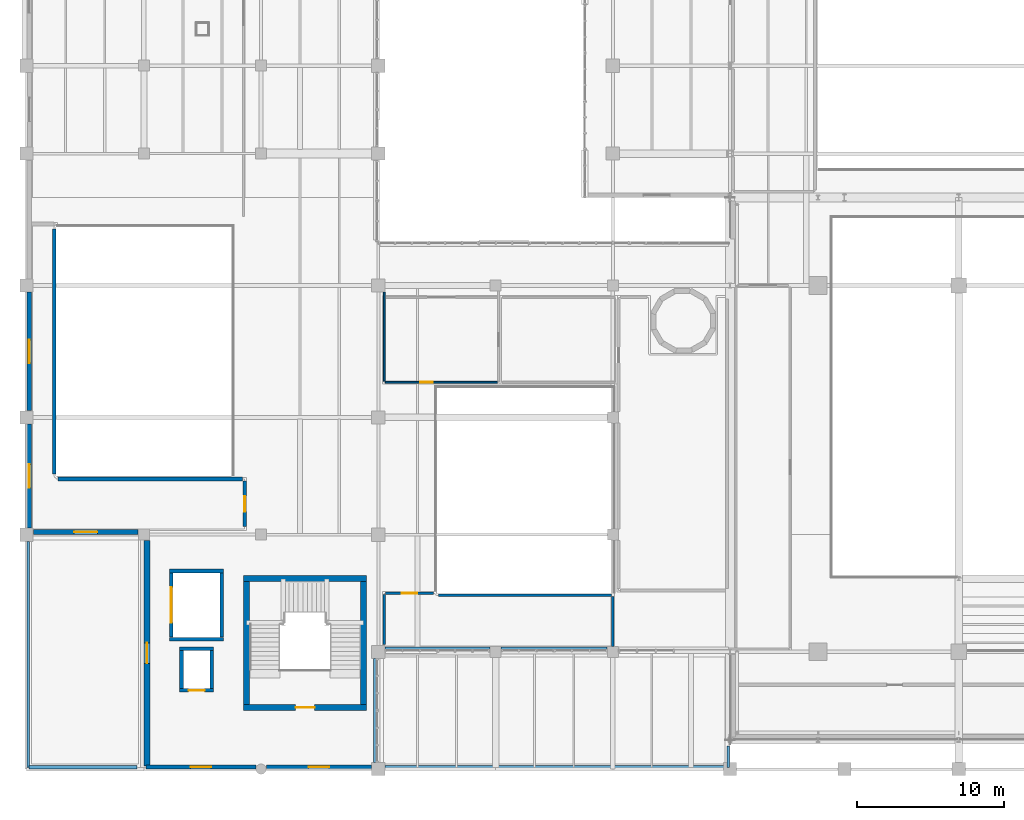
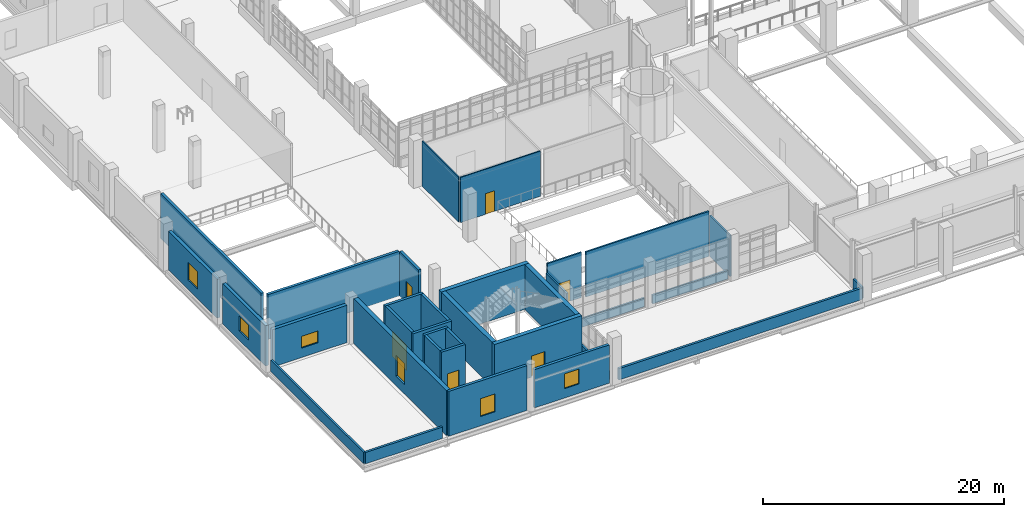
# One storey, part 89 of 102: 34 walls, 6 doors, 6 windows, 12 openings.
"""IFC4 building model written with IfcOpenShell, lengths in metres."""

from ifc_helpers import new_model, si_unit, derived_unit, direction, frame, frame_2d, origin, place, context, subcontext, project, spatial, rectangle, extrude, material, layer, layer_set, type_object, element, fill, save


model = new_model("IFC4")

# Units and contexts
model_context = context("Model", 3, precision=1e-05, world=origin(), true_north=direction((0.0, 1.0)))
body_context = subcontext(model_context, "Body", "Model", "MODEL_VIEW")
ifc_project = project(units=[si_unit("LENGTHUNIT", "METRE"), si_unit("AREAUNIT", "SQUARE_METRE"), si_unit("VOLUMEUNIT", "CUBIC_METRE"), si_unit("PLANEANGLEUNIT", "RADIAN"), si_unit("MASSUNIT", "GRAM", prefix="KILO"), derived_unit("THERMALTRANSMITTANCEUNIT", [(si_unit("POWERUNIT", "WATT"), 1), (si_unit("LENGTHUNIT", "METRE"), -2), (si_unit("THERMODYNAMICTEMPERATUREUNIT", "KELVIN"), -1)])], contexts=[model_context])

# Site, building, storey
site_placement = place(None, origin())
site = spatial("IfcSite", under=ifc_project, at=site_placement, CompositionType="ELEMENT")
building_placement = place(site_placement, origin())
building = spatial("IfcBuilding", under=site, at=building_placement, Name="Nallur Shell Playhouse", CompositionType="ELEMENT")
storey_placement = place(building_placement, frame((0.0, 0.0, 15.0)))
storey = spatial("IfcBuildingStorey", under=building, at=storey_placement, Name="L04", CompositionType="ELEMENT", Elevation=15.0)

# Wall, opening, door
ifc_material_1 = material(Name="Concrete M45", Category="concrete")
ifc_layer_1 = layer(ifc_material_1, 0.39990234375)
ifc_layer_set_1 = layer_set([ifc_layer_1], Name="Concrete M45")
wall_type_1 = type_object("IfcWallType", Name="WL-CORE-400", PredefinedType="SHEAR", material=ifc_layer_set_1)
wall_1_placement = place(storey_placement, frame((30.800048828125, 12.199951171875, 0.0), z_axis=(0.0, 0.0, 1.0), x_axis=(1.0, 0.0, 0.0)))
wall_1 = element("IfcWall", 1, at=wall_1_placement, inside=storey, type_object=wall_type_1, Name="Joint Core JC-1 shear wall S (L04)", PredefinedType="SHEAR", context=body_context, shape_type="SweptSolid", body=[
    extrude(rectangle(XDim=8.39990234375, YDim=0.39990234375, at=frame_2d((4.199951171875, 0.0))), origin(), (0.0, 0.0, 1.0), 4.550048828125),
])
opening_1_placement = place(wall_1_placement, frame((3.550048828125, 0.0, 0.0)))
opening_1 = element("IfcOpeningElement", 2, at=opening_1_placement, cuts=wall_1, Name="Opening FD-ST1", PredefinedType="OPENING", context=body_context, shape_type="SweptSolid", body=[
    extrude(rectangle(XDim=1.300048828125, YDim=2.14990234375, at=frame_2d((0.64990234375, 1.074951171875))), frame((0.0, 0.2099609375, 0.0), z_axis=(0.0, -1.0, 0.0), x_axis=(1.0, 0.0, 0.0)), (0.0, 0.0, 1.0), 0.419921875),
])
ifc_material_2 = material(Name="Galvanised Steel Fire-Rated Stair Door", Category="steel")
door_type_1 = type_object("IfcDoorType", Name="DR-INT-STAIR-L", OperationType="SINGLE_SWING_LEFT", PredefinedType="DOOR", material=ifc_material_2)
door_1_placement = place(opening_1_placement, origin())
door_1 = element("IfcDoor", 3, at=door_1_placement, inside=storey, type_object=door_type_1, Name="Exit stair ST-01 fire door (L04)", OperationType="SINGLE_SWING_LEFT", OverallHeight=2.14990234375, OverallWidth=1.300048828125, PredefinedType="DOOR", context=body_context, shape_type="SweptSolid", body=[
    extrude(rectangle(XDim=1.300048828125, YDim=2.14990234375, at=frame_2d((0.64990234375, 1.074951171875))), frame((0.0, 0.02490234375, 0.0), z_axis=(0.0, -1.0, 0.0), x_axis=(1.0, 0.0, 0.0)), (0.0, 0.0, 1.0), 0.050048828125),
])
fill(opening_1, door_1)

# Walls
wall_2_placement = place(storey_placement, frame((39.199951171875, 21.0, 0.0), z_axis=(0.0, 0.0, 1.0), x_axis=(-1.0, 0.0, 0.0)))
element("IfcWall", 4, at=wall_2_placement, inside=storey, type_object=wall_type_1, Name="Joint Core JC-1 shear wall N (L04)", PredefinedType="SHEAR", context=body_context, shape_type="SweptSolid", body=[
    extrude(rectangle(XDim=8.39990234375, YDim=0.39990234375, at=frame_2d((4.199951171875, 0.0))), origin(), (0.0, 0.0, 1.0), 4.550048828125),
])
for number, where, z_axis, x_axis, name in (
    (5, (39.0, 12.409912109375, 0.0), (0.0, 0.0, 1.0), (0.0, 1.0, 0.0), "Joint Core JC-1 shear wall E (L04)"),
    (6, (31.0, 20.7900390625, 0.0), (0.0, 0.0, 1.0), (0.0, -1.0, 0.0), "Joint Core JC-1 shear wall W (L04)"),
):
    element("IfcWall", number, at=place(storey_placement, frame(where, z_axis=z_axis, x_axis=x_axis)), inside=storey, type_object=wall_type_1, Name=name, PredefinedType="SHEAR", context=body_context, shape_type="SweptSolid", body=[
        extrude(rectangle(XDim=8.380126953125, YDim=0.39990234375, at=frame_2d((4.18994140625, 0.0))), origin(), (0.0, 0.0, 1.0), 4.550048828125),
    ])

# Wall, opening, window
ifc_material_3 = material(Name="Precast concrete M40", Category="concrete")
ifc_layer_2 = layer(ifc_material_3, 0.260009765625)
ifc_layer_set_2 = layer_set([ifc_layer_2], Name="Precast concrete M40")
wall_type_2 = type_object("IfcWallType", Name="WL-EXT-CLAD260", PredefinedType="ELEMENTEDWALL", material=ifc_layer_set_2)
wall_3_placement = place(storey_placement, frame((39.5419921875, 8.14990234375, 0.0), z_axis=(0.0, 0.0, 1.0), x_axis=(-1.0, 0.0, 0.0)))
wall_3 = element("IfcWall", 7, at=wall_3_placement, inside=storey, type_object=wall_type_2, Name="L04 exterior wall EW-L04-193", PredefinedType="ELEMENTEDWALL", context=body_context, shape_type="SweptSolid", body=[
    extrude(rectangle(XDim=7.18408203125, YDim=0.260009765625, at=frame_2d((3.592041015625, 0.0))), origin(), (0.0, 0.0, 1.0), 3.885009765625),
])
opening_2_placement = place(wall_3_placement, frame((2.89208984375, 0.0, 0.949951171875)))
opening_2 = element("IfcOpeningElement", 8, at=opening_2_placement, cuts=wall_3, Name="Opening WN-14", PredefinedType="OPENING", context=body_context, shape_type="SweptSolid", body=[
    extrude(rectangle(XDim=1.39990234375, YDim=1.5, at=frame_2d((0.699951171875, 0.75))), frame((0.0, 0.14013671875, 0.0), z_axis=(0.0, -1.0, 0.0), x_axis=(1.0, 0.0, 0.0)), (0.0, 0.0, 1.0), 0.280029296875),
])
ifc_material_4 = material(Name="Thermally Broken Aluminium Acoustic Double-Glazed Window", Category="aluminium")
window_type_1 = type_object("IfcWindowType", Name="WN-TYPE-14", PartitioningType="SINGLE_PANEL", PredefinedType="WINDOW", material=ifc_material_4)
window_1_placement = place(opening_2_placement, origin())
window_1 = element("IfcWindow", 9, at=window_1_placement, inside=storey, type_object=window_type_1, Name="L04 facade module window 078", OverallHeight=1.5, OverallWidth=1.39990234375, PartitioningType="SINGLE_PANEL", PredefinedType="WINDOW", context=body_context, shape_type="SweptSolid", body=[
    extrude(rectangle(XDim=1.39990234375, YDim=1.5, at=frame_2d((0.699951171875, 0.75))), frame((0.0, 0.030029296875, 0.0), z_axis=(0.0, -1.0, 0.0), x_axis=(1.0, 0.0, 0.0)), (0.0, 0.0, 1.0), 0.06005859375),
])
fill(opening_2, window_1)

wall_4_placement = place(storey_placement, frame((31.64208984375, 8.14990234375, 0.0), z_axis=(0.0, 0.0, 1.0), x_axis=(-1.0, 0.0, 0.0)))
wall_4 = element("IfcWall", 10, at=wall_4_placement, inside=storey, type_object=wall_type_2, Name="L04 exterior wall EW-L04-194", PredefinedType="ELEMENTEDWALL", context=body_context, shape_type="SweptSolid", body=[
    extrude(rectangle(XDim=7.502197265625, YDim=0.260009765625, at=frame_2d((3.7509765625, 0.0))), origin(), (0.0, 0.0, 1.0), 4.550048828125),
])
opening_3_placement = place(wall_4_placement, frame((3.051025390625, 0.0, 0.949951171875)))
opening_3 = element("IfcOpeningElement", 11, at=opening_3_placement, cuts=wall_4, Name="Opening WN-15", PredefinedType="OPENING", context=body_context, shape_type="SweptSolid", body=[
    extrude(rectangle(XDim=1.39990234375, YDim=1.800048828125, at=frame_2d((0.699951171875, 0.89990234375))), frame((0.0, 0.14013671875, 0.0), z_axis=(0.0, -1.0, 0.0), x_axis=(1.0, 0.0, 0.0)), (0.0, 0.0, 1.0), 0.280029296875),
])
window_type_2 = type_object("IfcWindowType", Name="WN-TYPE-15", PartitioningType="SINGLE_PANEL", PredefinedType="WINDOW", material=ifc_material_4)
window_2_placement = place(opening_3_placement, origin())
window_2 = element("IfcWindow", 12, at=window_2_placement, inside=storey, type_object=window_type_2, Name="L04 facade module window 079", OverallHeight=1.800048828125, OverallWidth=1.39990234375, PartitioningType="SINGLE_PANEL", PredefinedType="WINDOW", context=body_context, shape_type="SweptSolid", body=[
    extrude(rectangle(XDim=1.39990234375, YDim=1.800048828125, at=frame_2d((0.699951171875, 0.89990234375))), frame((0.0, 0.030029296875, 0.0), z_axis=(0.0, -1.0, 0.0), x_axis=(1.0, 0.0, 0.0)), (0.0, 0.0, 1.0), 0.06005859375),
])
fill(opening_3, window_2)

ifc_material_5 = material(Name="Concrete M35", Category="concrete")
ifc_layer_3 = layer(ifc_material_5, 0.300048828125)
ifc_layer_set_3 = layer_set([ifc_layer_3], Name="Concrete M35")
wall_type_3 = type_object("IfcWallType", Name="WL-EXT-RC300", PredefinedType="STANDARD", material=ifc_layer_set_3)
wall_5_placement = place(storey_placement, frame((16.169921875, 24.4580078125, 0.0), z_axis=(0.0, 0.0, 1.0), x_axis=(0.0, 1.0, 0.0)))
wall_5 = element("IfcWall", 13, at=wall_5_placement, inside=storey, type_object=wall_type_3, Name="L04 exterior wall EW-L04-197", PredefinedType="STANDARD", context=body_context, shape_type="SweptSolid", body=[
    extrude(rectangle(XDim=7.083984375, YDim=0.300048828125, at=frame_2d((3.5419921875, 0.0))), origin(), (0.0, 0.0, 1.0), 4.0849609375),
])
opening_4_placement = place(wall_5_placement, frame((2.741943359375, 0.0, 0.949951171875)))
opening_4 = element("IfcOpeningElement", 14, at=opening_4_placement, cuts=wall_5, Name="Opening WN-18", PredefinedType="OPENING", context=body_context, shape_type="SweptSolid", body=[
    extrude(rectangle(XDim=1.60009765625, YDim=1.5, at=frame_2d((0.800048828125, 0.75))), frame((0.0, 0.16015625, 0.0), z_axis=(0.0, -1.0, 0.0), x_axis=(1.0, 0.0, 0.0)), (0.0, 0.0, 1.0), 0.320068359375),
])
window_type_3 = type_object("IfcWindowType", Name="WN-TYPE-18", PartitioningType="SINGLE_PANEL", PredefinedType="WINDOW", material=ifc_material_4)
window_3_placement = place(opening_4_placement, origin())
window_3 = element("IfcWindow", 15, at=window_3_placement, inside=storey, type_object=window_type_3, Name="L04 facade module window 082", OverallHeight=1.5, OverallWidth=1.60009765625, PartitioningType="SINGLE_PANEL", PredefinedType="WINDOW", context=body_context, shape_type="SweptSolid", body=[
    extrude(rectangle(XDim=1.60009765625, YDim=1.5, at=frame_2d((0.800048828125, 0.75))), frame((0.0, 0.030029296875, 0.0), z_axis=(0.0, -1.0, 0.0), x_axis=(1.0, 0.0, 0.0)), (0.0, 0.0, 1.0), 0.06005859375),
])
fill(opening_4, window_3)

wall_6_placement = place(storey_placement, frame((16.169921875, 32.4580078125, 0.0), z_axis=(0.0, 0.0, 1.0), x_axis=(0.0, 1.0, 0.0)))
wall_6 = element("IfcWall", 16, at=wall_6_placement, inside=storey, type_object=wall_type_3, Name="L04 exterior wall EW-L04-198", PredefinedType="STANDARD", context=body_context, shape_type="SweptSolid", body=[
    extrude(rectangle(XDim=8.083984375, YDim=0.300048828125, at=frame_2d((4.0419921875, 0.0))), origin(), (0.0, 0.0, 1.0), 3.93505859375),
])
opening_5_placement = place(wall_6_placement, frame((3.241943359375, 0.0, 0.949951171875)))
opening_5 = element("IfcOpeningElement", 17, at=opening_5_placement, cuts=wall_6, Name="Opening WN-19", PredefinedType="OPENING", context=body_context, shape_type="SweptSolid", body=[
    extrude(rectangle(XDim=1.60009765625, YDim=1.800048828125, at=frame_2d((0.800048828125, 0.89990234375))), frame((0.0, 0.16015625, 0.0), z_axis=(0.0, -1.0, 0.0), x_axis=(1.0, 0.0, 0.0)), (0.0, 0.0, 1.0), 0.320068359375),
])
window_type_4 = type_object("IfcWindowType", Name="WN-TYPE-19", PartitioningType="SINGLE_PANEL", PredefinedType="WINDOW", material=ifc_material_4)
window_4_placement = place(opening_5_placement, origin())
window_4 = element("IfcWindow", 18, at=window_4_placement, inside=storey, type_object=window_type_4, Name="L04 facade module window 083", OverallHeight=1.800048828125, OverallWidth=1.60009765625, PartitioningType="SINGLE_PANEL", PredefinedType="WINDOW", context=body_context, shape_type="SweptSolid", body=[
    extrude(rectangle(XDim=1.60009765625, YDim=1.800048828125, at=frame_2d((0.800048828125, 0.89990234375))), frame((0.0, 0.030029296875, 0.0), z_axis=(0.0, -1.0, 0.0), x_axis=(1.0, 0.0, 0.0)), (0.0, 0.0, 1.0), 0.06005859375),
])
fill(opening_5, window_4)

ifc_layer_4 = layer(ifc_material_5, 0.320068359375)
ifc_layer_set_4 = layer_set([ifc_layer_4], Name="Concrete M35")
wall_type_4 = type_object("IfcWallType", Name="WL-EXT-RC320", PredefinedType="STANDARD", material=ifc_layer_set_4)
wall_7_placement = place(storey_placement, frame((23.616943359375, 24.179931640625, 0.0), z_axis=(0.0, 0.0, 1.0), x_axis=(-1.0, 0.0, 0.0)))
wall_7 = element("IfcWall", 19, at=wall_7_placement, inside=storey, type_object=wall_type_4, Name="L04 exterior wall EW-L04-196", PredefinedType="STANDARD", context=body_context, shape_type="SweptSolid", body=[
    extrude(rectangle(XDim=7.158935546875, YDim=0.320068359375, at=frame_2d((3.57958984375, 0.0))), origin(), (0.0, 0.0, 1.0), 3.784912109375),
])
opening_6_placement = place(wall_7_placement, frame((2.780029296875, 0.0, 0.949951171875)))
opening_6 = element("IfcOpeningElement", 20, at=opening_6_placement, cuts=wall_7, Name="Opening WN-17", PredefinedType="OPENING", context=body_context, shape_type="SweptSolid", body=[
    extrude(rectangle(XDim=1.60009765625, YDim=1.199951171875, at=frame_2d((0.800048828125, 0.60009765625))), frame((0.0, 0.169921875, 0.0), z_axis=(0.0, -1.0, 0.0), x_axis=(1.0, 0.0, 0.0)), (0.0, 0.0, 1.0), 0.340087890625),
])
window_type_5 = type_object("IfcWindowType", Name="WN-TYPE-17", PartitioningType="SINGLE_PANEL", PredefinedType="WINDOW", material=ifc_material_4)
window_5_placement = place(opening_6_placement, origin())
window_5 = element("IfcWindow", 21, at=window_5_placement, inside=storey, type_object=window_type_5, Name="L04 facade module window 081", OverallHeight=1.199951171875, OverallWidth=1.60009765625, PartitioningType="SINGLE_PANEL", PredefinedType="WINDOW", context=body_context, shape_type="SweptSolid", body=[
    extrude(rectangle(XDim=1.60009765625, YDim=1.199951171875, at=frame_2d((0.800048828125, 0.60009765625))), frame((0.0, 0.030029296875, 0.0), z_axis=(0.0, -1.0, 0.0), x_axis=(1.0, 0.0, 0.0)), (0.0, 0.0, 1.0), 0.06005859375),
])
fill(opening_6, window_5)

ifc_material_6 = material(Name="Concrete M40", Category="concrete")
ifc_layer_5 = layer(ifc_material_6, 0.39990234375)
ifc_layer_set_5 = layer_set([ifc_layer_5], Name="Concrete M40")
wall_type_5 = type_object("IfcWallType", Name="WL-EXT-RC400", PredefinedType="STANDARD", material=ifc_layer_set_5)
wall_8_placement = place(storey_placement, frame((24.219970703125, 8.2099609375, 0.0), z_axis=(0.0, 0.0, 1.0), x_axis=(0.0, 1.0, 0.0)))
wall_8 = element("IfcWall", 22, at=wall_8_placement, inside=storey, type_object=wall_type_5, Name="L04 exterior wall EW-L04-195", PredefinedType="STANDARD", context=body_context, shape_type="SweptSolid", body=[
    extrude(rectangle(XDim=15.406982421875, YDim=0.39990234375, at=frame_2d((7.70361328125, 0.0))), origin(), (0.0, 0.0, 1.0), 4.550048828125),
])
opening_7_placement = place(wall_8_placement, frame((7.0029296875, 0.0, 0.949951171875)))
opening_7 = element("IfcOpeningElement", 23, at=opening_7_placement, cuts=wall_8, Name="Opening WN-16", PredefinedType="OPENING", context=body_context, shape_type="SweptSolid", body=[
    extrude(rectangle(XDim=1.39990234375, YDim=2.10009765625, at=frame_2d((0.699951171875, 1.050048828125))), frame((0.0, 0.2099609375, 0.0), z_axis=(0.0, -1.0, 0.0), x_axis=(1.0, 0.0, 0.0)), (0.0, 0.0, 1.0), 0.419921875),
])
window_type_6 = type_object("IfcWindowType", Name="WN-TYPE-16", PartitioningType="SINGLE_PANEL", PredefinedType="WINDOW", material=ifc_material_4)
window_6_placement = place(opening_7_placement, origin())
window_6 = element("IfcWindow", 24, at=window_6_placement, inside=storey, type_object=window_type_6, Name="L04 facade module window 080", OverallHeight=2.10009765625, OverallWidth=1.39990234375, PartitioningType="SINGLE_PANEL", PredefinedType="WINDOW", context=body_context, shape_type="SweptSolid", body=[
    extrude(rectangle(XDim=1.39990234375, YDim=2.10009765625, at=frame_2d((0.699951171875, 1.050048828125))), frame((0.0, 0.030029296875, 0.0), z_axis=(0.0, -1.0, 0.0), x_axis=(1.0, 0.0, 0.0)), (0.0, 0.0, 1.0), 0.06005859375),
])
fill(opening_7, window_6)

# Walls
ifc_layer_6 = layer(ifc_material_5, 0.179931640625)
ifc_layer_set_6 = layer_set([ifc_layer_6], Name="Concrete M35")
wall_type_6 = type_object("IfcWallType", Name="WL-PARAPET-180", PredefinedType="PARAPET", material=ifc_layer_set_6)
wall_9_placement = place(storey_placement, frame((55.614990234375, 16.239990234375, 0.0), z_axis=(0.0, 0.0, 1.0), x_axis=(-1.0, 0.0, 0.0)))
element("IfcWall", 25, at=wall_9_placement, inside=storey, type_object=wall_type_6, Name="L04 curtain-wall internal spandrel upstand 054", PredefinedType="PARAPET", context=body_context, shape_type="SweptSolid", body=[
    extrude(rectangle(XDim=7.22998046875, YDim=0.179931640625, at=frame_2d((3.614990234375, 0.0))), origin(), (0.0, 0.0, 1.0), 0.8798828125),
])
wall_10_placement = place(storey_placement, frame((47.614990234375, 16.239990234375, 0.0), z_axis=(0.0, 0.0, 1.0), x_axis=(-1.0, 0.0, 0.0)))
element("IfcWall", 26, at=wall_10_placement, inside=storey, type_object=wall_type_6, Name="L04 curtain-wall internal spandrel upstand 055", PredefinedType="PARAPET", context=body_context, shape_type="SweptSolid", body=[
    extrude(rectangle(XDim=7.155029296875, YDim=0.179931640625, at=frame_2d((3.57763671875, 0.0))), origin(), (0.0, 0.0, 1.0), 0.8798828125),
])
wall_11_placement = place(storey_placement, frame((39.760009765625, 15.5400390625, 0.0), z_axis=(0.0, 0.0, 1.0), x_axis=(0.0, -1.0, 0.0)))
element("IfcWall", 27, at=wall_11_placement, inside=storey, type_object=wall_type_6, Name="L04 curtain-wall internal spandrel upstand 056", PredefinedType="PARAPET", context=body_context, shape_type="SweptSolid", body=[
    extrude(rectangle(XDim=7.080078125, YDim=0.179931640625, at=frame_2d((3.5400390625, 0.0))), origin(), (0.0, 0.0, 1.0), 0.8798828125),
])
wall_12_placement = place(storey_placement, frame((63.889892578125, 9.564208984375, 0.0), z_axis=(0.0, 0.0, 1.0), x_axis=(0.0, -1.0, 0.0)))
element("IfcWall", 28, at=wall_12_placement, inside=storey, type_object=wall_type_6, Name="L04 concrete roof parapet PAR-017", PredefinedType="PARAPET", context=body_context, shape_type="SweptSolid", body=[
    extrude(rectangle(XDim=1.434326171875, YDim=0.179931640625, at=frame_2d((0.71728515625, 0.0))), origin(), (0.0, 0.0, 1.0), 1.14990234375),
])
wall_13_placement = place(storey_placement, frame((16.110107421875, 8.1298828125, 0.0), z_axis=(0.0, 0.0, 1.0), x_axis=(0.0, 1.0, 0.0)))
element("IfcWall", 29, at=wall_13_placement, inside=storey, type_object=wall_type_6, Name="L04 concrete roof parapet PAR-021", PredefinedType="PARAPET", context=body_context, shape_type="SweptSolid", body=[
    extrude(rectangle(XDim=15.420166015625, YDim=0.179931640625, at=frame_2d((7.7099609375, 0.0))), origin(), (0.0, 0.0, 1.0), 1.14990234375),
])
ifc_layer_7 = layer(ifc_material_5, 0.219970703125)
ifc_layer_set_7 = layer_set([ifc_layer_7], Name="Concrete M35")
wall_type_7 = type_object("IfcWallType", Name="WL-PARAPET-220", PredefinedType="PARAPET", material=ifc_layer_set_7)
wall_14_placement = place(storey_placement, frame((63.85009765625, 8.1298828125, 0.0), z_axis=(0.0, 0.0, 1.0), x_axis=(-1.0, 0.0, 0.0)))
element("IfcWall", 30, at=wall_14_placement, inside=storey, type_object=wall_type_7, Name="L04 concrete roof parapet PAR-018", PredefinedType="PARAPET", context=body_context, shape_type="SweptSolid", body=[
    extrude(rectangle(XDim=23.400146484375, YDim=0.219970703125, at=frame_2d((11.7001953125, 0.0))), origin(), (0.0, 0.0, 1.0), 1.14990234375),
])
wall_15_placement = place(storey_placement, frame((23.550048828125, 8.1298828125, 0.0), z_axis=(0.0, 0.0, 1.0), x_axis=(-1.0, 0.0, 0.0)))
element("IfcWall", 31, at=wall_15_placement, inside=storey, type_object=wall_type_7, Name="L04 concrete roof parapet PAR-020", PredefinedType="PARAPET", context=body_context, shape_type="SweptSolid", body=[
    extrude(rectangle(XDim=7.400146484375, YDim=0.219970703125, at=frame_2d((3.7001953125, 0.0))), origin(), (0.0, 0.0, 1.0), 1.14990234375),
])
ifc_material_7 = material(Name="Concrete M30", Category="concrete")
ifc_layer_8 = layer(ifc_material_7, 0.25)
ifc_layer_set_8 = layer_set([ifc_layer_8], Name="Concrete M30")
wall_type_8 = type_object("IfcWallType", Name="WL-PART-AC250", PredefinedType="PARTITIONING", material=ifc_layer_set_8)
wall_16_placement = place(storey_placement, frame((17.8798828125, 44.85498046875, 0.0), z_axis=(0.0, 0.0, 1.0), x_axis=(0.0, -1.0, 0.0)))
element("IfcWall", 32, at=wall_16_placement, inside=storey, type_object=wall_type_8, Name="Black-Box Tension Wire-Grid & Technical Catwalk partition IW-L04-0309", PredefinedType="PARTITIONING", context=body_context, shape_type="SweptSolid", body=[
    extrude(rectangle(XDim=16.7099609375, YDim=0.25, at=frame_2d((8.35498046875, 0.0))), origin(), (0.0, 0.0, 1.0), 4.5400390625),
])
wall_17_placement = place(storey_placement, frame((18.14501953125, 27.800048828125, 0.0), z_axis=(0.0, 0.0, 1.0), x_axis=(1.0, 0.0, 0.0)))
element("IfcWall", 33, at=wall_17_placement, inside=storey, type_object=wall_type_8, Name="Black-Box Tension Wire-Grid & Technical Catwalk partition IW-L04-0310", PredefinedType="PARTITIONING", context=body_context, shape_type="SweptSolid", body=[
    extrude(rectangle(XDim=12.590087890625, YDim=0.25, at=frame_2d((6.294921875, 0.0))), origin(), (0.0, 0.0, 1.0), 4.5400390625),
])

# Wall, opening, door
wall_18_placement = place(storey_placement, frame((30.8798828125, 27.655029296875, 0.0), z_axis=(0.0, 0.0, 1.0), x_axis=(0.0, -1.0, 0.0)))
wall_18 = element("IfcWall", 34, at=wall_18_placement, inside=storey, type_object=wall_type_8, Name="Black-Box Tension Wire-Grid & Technical Catwalk partition IW-L04-0311", PredefinedType="PARTITIONING", context=body_context, shape_type="SweptSolid", body=[
    extrude(rectangle(XDim=3.110107421875, YDim=0.25, at=frame_2d((1.55517578125, 0.0))), origin(), (0.0, 0.0, 1.0), 4.5400390625),
])
opening_8_placement = place(wall_18_placement, frame((1.030029296875, 0.0, 0.0)))
opening_8 = element("IfcOpeningElement", 35, at=opening_8_placement, cuts=wall_18, Name="Opening ID-01", PredefinedType="OPENING", context=body_context, shape_type="SweptSolid", body=[
    extrude(rectangle(XDim=1.050048828125, YDim=2.14990234375, at=frame_2d((0.52490234375, 1.074951171875))), frame((0.0, 0.135009765625, 0.0), z_axis=(0.0, -1.0, 0.0), x_axis=(1.0, 0.0, 0.0)), (0.0, 0.0, 1.0), 0.27001953125),
])
ifc_material_8 = material(Name="Solid-Core Engineered Timber Fire Door", Category="wood")
door_type_2 = type_object("IfcDoorType", Name="DR-INT-SGL1050L", OperationType="SINGLE_SWING_LEFT", PredefinedType="DOOR", material=ifc_material_8)
door_2_placement = place(opening_8_placement, origin())
door_2 = element("IfcDoor", 36, at=door_2_placement, inside=storey, type_object=door_type_2, Name="Black-Box Tension Wire-Grid & Technical Catwalk door 1", OperationType="SINGLE_SWING_LEFT", OverallHeight=2.14990234375, OverallWidth=1.050048828125, PredefinedType="DOOR", context=body_context, shape_type="SweptSolid", body=[
    extrude(rectangle(XDim=1.050048828125, YDim=2.14990234375, at=frame_2d((0.52490234375, 1.074951171875))), frame((0.0, 0.02490234375, 0.0), z_axis=(0.0, -1.0, 0.0), x_axis=(1.0, 0.0, 0.0)), (0.0, 0.0, 1.0), 0.050048828125),
])
fill(opening_8, door_2)

# Wall
ifc_material_9 = material(Name="Concrete M25 Fire Blockwork", Category="masonry")
ifc_layer_9 = layer(ifc_material_9, 0.14990234375)
ifc_layer_set_9 = layer_set([ifc_layer_9], Name="Concrete M25 Fire Blockwork")
wall_type_9 = type_object("IfcWallType", Name="WL-PART-FR150", PredefinedType="PARTITIONING", material=ifc_layer_set_9)
wall_19_placement = place(storey_placement, frame((40.39990234375, 16.4951171875, 0.0), z_axis=(0.0, 0.0, 1.0), x_axis=(0.0, 1.0, 0.0)))
element("IfcWall", 37, at=wall_19_placement, inside=storey, type_object=wall_type_9, Name="Upper Circle Panoramic Overlook Gallery partition IW-L04-0292", PredefinedType="PARTITIONING", context=body_context, shape_type="SweptSolid", body=[
    extrude(rectangle(XDim=3.409912109375, YDim=0.14990234375, at=frame_2d((1.705078125, 0.0))), origin(), (0.0, 0.0, 1.0), 3.679931640625),
])

# Wall, opening, door
wall_20_placement = place(storey_placement, frame((40.4951171875, 20.0, 0.0), z_axis=(0.0, 0.0, 1.0), x_axis=(1.0, 0.0, 0.0)))
wall_20 = element("IfcWall", 38, at=wall_20_placement, inside=storey, type_object=wall_type_9, Name="Upper Circle Panoramic Overlook Gallery partition IW-L04-0293", PredefinedType="PARTITIONING", context=body_context, shape_type="SweptSolid", body=[
    extrude(rectangle(XDim=3.269775390625, YDim=0.14990234375, at=frame_2d((1.634765625, 0.0))), origin(), (0.0, 0.0, 1.0), 4.570068359375),
])
opening_9_placement = place(wall_20_placement, frame((1.110107421875, 0.0, 0.0)))
opening_9 = element("IfcOpeningElement", 39, at=opening_9_placement, cuts=wall_20, Name="Opening ID-02", PredefinedType="OPENING", context=body_context, shape_type="SweptSolid", body=[
    extrude(rectangle(XDim=1.050048828125, YDim=2.14990234375, at=frame_2d((0.52490234375, 1.074951171875))), frame((0.0, 0.0849609375, 0.0), z_axis=(0.0, -1.0, 0.0), x_axis=(1.0, 0.0, 0.0)), (0.0, 0.0, 1.0), 0.169921875),
])
door_type_3 = type_object("IfcDoorType", Name="DR-INT-SGL1050R", OperationType="SINGLE_SWING_RIGHT", PredefinedType="DOOR", material=ifc_material_8)
door_3_placement = place(opening_9_placement, origin())
door_3 = element("IfcDoor", 40, at=door_3_placement, inside=storey, type_object=door_type_3, Name="Upper Circle Panoramic Overlook Gallery door 1", OperationType="SINGLE_SWING_RIGHT", OverallHeight=2.14990234375, OverallWidth=1.050048828125, PredefinedType="DOOR", context=body_context, shape_type="SweptSolid", body=[
    extrude(rectangle(XDim=1.050048828125, YDim=2.14990234375, at=frame_2d((0.52490234375, 1.074951171875))), frame((0.0, 0.02490234375, 0.0), z_axis=(0.0, -1.0, 0.0), x_axis=(1.0, 0.0, 0.0)), (0.0, 0.0, 1.0), 0.050048828125),
])
fill(opening_9, door_3)

# Walls
wall_21_placement = place(storey_placement, frame((44.094970703125, 19.860107421875, 0.0), z_axis=(0.0, 0.0, 1.0), x_axis=(1.0, 0.0, 0.0)))
element("IfcWall", 41, at=wall_21_placement, inside=storey, type_object=wall_type_9, Name="Upper Circle Panoramic Overlook Gallery partition IW-L04-0294", PredefinedType="PARTITIONING", context=body_context, shape_type="SweptSolid", body=[
    extrude(rectangle(XDim=11.81005859375, YDim=0.14990234375, at=frame_2d((5.905029296875, 0.0))), origin(), (0.0, 0.0, 1.0), 4.570068359375),
])
wall_22_placement = place(storey_placement, frame((56.0, 19.764892578125, 0.0), z_axis=(0.0, 0.0, 1.0), x_axis=(0.0, -1.0, 0.0)))
element("IfcWall", 42, at=wall_22_placement, inside=storey, type_object=wall_type_9, Name="Upper Circle Panoramic Overlook Gallery partition IW-L04-0295", PredefinedType="PARTITIONING", context=body_context, shape_type="SweptSolid", body=[
    extrude(rectangle(XDim=3.385986328125, YDim=0.14990234375, at=frame_2d((1.69287109375, 0.0))), origin(), (0.0, 0.0, 1.0), 4.179931640625),
])

# Wall, opening, door
ifc_layer_10 = layer(ifc_material_9, 0.1201171875)
ifc_layer_set_10 = layer_set([ifc_layer_10], Name="Concrete M25 Fire Blockwork")
wall_type_10 = type_object("IfcWallType", Name="WL-PART-WET120", PredefinedType="PARTITIONING", material=ifc_layer_set_10)
wall_23_placement = place(storey_placement, frame((48.1201171875, 34.39990234375, 0.0), z_axis=(0.0, 0.0, 1.0), x_axis=(-1.0, 0.0, 0.0)))
wall_23 = element("IfcWall", 43, at=wall_23_placement, inside=storey, type_object=wall_type_10, Name="Upper Circle Male Restroom partition IW-L04-0333", PredefinedType="PARTITIONING", context=body_context, shape_type="SweptSolid", body=[
    extrude(rectangle(XDim=7.64013671875, YDim=0.1201171875, at=frame_2d((3.820068359375, 0.0))), origin(), (0.0, 0.0, 1.0), 4.570068359375),
])
opening_10_placement = place(wall_23_placement, frame((4.39404296875, 0.0, 0.0)))
opening_10 = element("IfcOpeningElement", 44, at=opening_10_placement, cuts=wall_23, Name="Opening WD-01", PredefinedType="OPENING", context=body_context, shape_type="SweptSolid", body=[
    extrude(rectangle(XDim=0.8798828125, YDim=2.10009765625, at=frame_2d((0.43994140625, 1.050048828125))), frame((0.0, 0.070068359375, 0.0), z_axis=(0.0, -1.0, 0.0), x_axis=(1.0, 0.0, 0.0)), (0.0, 0.0, 1.0), 0.14013671875),
])
ifc_material_10 = material(Name="Moisture-Resistant Laminate Restroom Door")
door_type_4 = type_object("IfcDoorType", Name="DR-INT-WC880L", OperationType="SINGLE_SWING_LEFT", PredefinedType="DOOR", material=ifc_material_10)
door_4_placement = place(opening_10_placement, origin())
door_4 = element("IfcDoor", 45, at=door_4_placement, inside=storey, type_object=door_type_4, Name="Upper Circle Male Restroom door 1", OperationType="SINGLE_SWING_LEFT", OverallHeight=2.10009765625, OverallWidth=0.8798828125, PredefinedType="DOOR", context=body_context, shape_type="SweptSolid", body=[
    extrude(rectangle(XDim=0.8798828125, YDim=2.10009765625, at=frame_2d((0.43994140625, 1.050048828125))), frame((0.0, 0.02490234375, 0.0), z_axis=(0.0, -1.0, 0.0), x_axis=(1.0, 0.0, 0.0)), (0.0, 0.0, 1.0), 0.050048828125),
])
fill(opening_10, door_4)

# Wall
wall_24_placement = place(storey_placement, frame((40.39990234375, 34.47998046875, 0.0), z_axis=(0.0, 0.0, 1.0), x_axis=(0.0, 1.0, 0.0)))
element("IfcWall", 46, at=wall_24_placement, inside=storey, type_object=wall_type_10, Name="Upper Circle Male Restroom partition IW-L04-0334", PredefinedType="PARTITIONING", context=body_context, shape_type="SweptSolid", body=[
    extrude(rectangle(XDim=6.06591796875, YDim=0.1201171875, at=frame_2d((3.032958984375, 0.0))), origin(), (0.0, 0.0, 1.0), 4.570068359375),
])

# Wall, opening, door
ifc_layer_11 = layer(ifc_material_1, 0.25)
ifc_layer_set_11 = layer_set([ifc_layer_11], Name="Concrete M45")
wall_type_11 = type_object("IfcWallType", Name="WL-SHAFT-250", PredefinedType="STANDARD", material=ifc_layer_set_11)
wall_25_placement = place(storey_placement, frame((26.449951171875, 13.375, 0.0), z_axis=(0.0, 0.0, 1.0), x_axis=(1.0, 0.0, 0.0)))
wall_25 = element("IfcWall", 47, at=wall_25_placement, inside=storey, type_object=wall_type_11, Name="Passenger Lift PL-1 shaft wall south (L04)", PredefinedType="STANDARD", context=body_context, shape_type="SweptSolid", body=[
    extrude(rectangle(XDim=2.300048828125, YDim=0.25, at=frame_2d((1.14990234375, 0.0))), origin(), (0.0, 0.0, 1.0), 4.5400390625),
])
opening_11_placement = place(wall_25_placement, frame((0.60009765625, 0.0, 0.0)))
opening_11 = element("IfcOpeningElement", 48, at=opening_11_placement, cuts=wall_25, Name="Opening LD-P1", PredefinedType="OPENING", context=body_context, shape_type="SweptSolid", body=[
    extrude(rectangle(XDim=1.10009765625, YDim=2.14990234375, at=frame_2d((0.550048828125, 1.074951171875))), frame((0.0, 0.135009765625, 0.0), z_axis=(0.0, -1.0, 0.0), x_axis=(1.0, 0.0, 0.0)), (0.0, 0.0, 1.0), 0.27001953125),
])
ifc_material_11 = material(Name="Brushed Stainless Steel Lift Landing Door", Category="steel")
door_type_5 = type_object("IfcDoorType", Name="DR-LIFT-PASS", OperationType="DOUBLE_DOOR_SLIDING", PredefinedType="DOOR", material=ifc_material_11)
door_5_placement = place(opening_11_placement, origin())
door_5 = element("IfcDoor", 49, at=door_5_placement, inside=storey, type_object=door_type_5, Name="Passenger Lift PL-1 sliding landing door (L04)", OperationType="DOUBLE_DOOR_SLIDING", OverallHeight=2.14990234375, OverallWidth=1.10009765625, PredefinedType="DOOR", context=body_context, shape_type="SweptSolid", body=[
    extrude(rectangle(XDim=1.10009765625, YDim=2.14990234375, at=frame_2d((0.550048828125, 1.074951171875))), frame((0.0, 0.02490234375, 0.0), z_axis=(0.0, -1.0, 0.0), x_axis=(1.0, 0.0, 0.0)), (0.0, 0.0, 1.0), 0.050048828125),
])
fill(opening_11, door_5)

# Walls
wall_26_placement = place(storey_placement, frame((28.75, 16.22509765625, 0.0), z_axis=(0.0, 0.0, 1.0), x_axis=(-1.0, 0.0, 0.0)))
element("IfcWall", 50, at=wall_26_placement, inside=storey, type_object=wall_type_11, Name="Passenger Lift PL-1 shaft wall north (L04)", PredefinedType="STANDARD", context=body_context, shape_type="SweptSolid", body=[
    extrude(rectangle(XDim=2.300048828125, YDim=0.25, at=frame_2d((1.14990234375, 0.0))), origin(), (0.0, 0.0, 1.0), 4.5400390625),
])
for number, where, z_axis, x_axis, name in (
    (51, (28.625, 13.510009765625, 0.0), (0.0, 0.0, 1.0), (0.0, 1.0, 0.0), "Passenger Lift PL-1 shaft wall east (L04)"),
    (52, (26.574951171875, 16.090087890625, 0.0), (0.0, 0.0, 1.0), (0.0, -1.0, 0.0), "Passenger Lift PL-1 shaft wall west (L04)"),
):
    element("IfcWall", number, at=place(storey_placement, frame(where, z_axis=z_axis, x_axis=x_axis)), inside=storey, type_object=wall_type_11, Name=name, PredefinedType="STANDARD", context=body_context, shape_type="SweptSolid", body=[
        extrude(rectangle(XDim=2.580078125, YDim=0.25, at=frame_2d((1.2900390625, 0.0))), origin(), (0.0, 0.0, 1.0), 4.5400390625),
    ])
for number, where, z_axis, x_axis, name in (
    (53, (25.75, 16.875, 0.0), (0.0, 0.0, 1.0), (1.0, 0.0, 0.0), "Scenery Freight Lift SL-1 shaft wall south (L04)"),
    (54, (29.449951171875, 21.52490234375, 0.0), (0.0, 0.0, 1.0), (-1.0, 0.0, 0.0), "Scenery Freight Lift SL-1 shaft wall north (L04)"),
):
    element("IfcWall", number, at=place(storey_placement, frame(where, z_axis=z_axis, x_axis=x_axis)), inside=storey, type_object=wall_type_11, Name=name, PredefinedType="STANDARD", context=body_context, shape_type="SweptSolid", body=[
        extrude(rectangle(XDim=3.699951171875, YDim=0.25, at=frame_2d((1.85009765625, 0.0))), origin(), (0.0, 0.0, 1.0), 4.5400390625),
    ])
wall_27_placement = place(storey_placement, frame((29.324951171875, 17.010009765625, 0.0), z_axis=(0.0, 0.0, 1.0), x_axis=(0.0, 1.0, 0.0)))
element("IfcWall", 55, at=wall_27_placement, inside=storey, type_object=wall_type_11, Name="Scenery Freight Lift SL-1 shaft wall east (L04)", PredefinedType="STANDARD", context=body_context, shape_type="SweptSolid", body=[
    extrude(rectangle(XDim=4.3798828125, YDim=0.25, at=frame_2d((2.18994140625, 0.0))), origin(), (0.0, 0.0, 1.0), 4.5400390625),
])

# Wall, opening, door
wall_28_placement = place(storey_placement, frame((25.875, 21.389892578125, 0.0), z_axis=(0.0, 0.0, 1.0), x_axis=(0.0, -1.0, 0.0)))
wall_28 = element("IfcWall", 56, at=wall_28_placement, inside=storey, type_object=wall_type_11, Name="Scenery Freight Lift SL-1 shaft wall west (L04)", PredefinedType="STANDARD", context=body_context, shape_type="SweptSolid", body=[
    extrude(rectangle(XDim=4.3798828125, YDim=0.25, at=frame_2d((2.18994140625, 0.0))), origin(), (0.0, 0.0, 1.0), 4.5400390625),
])
opening_12_placement = place(wall_28_placement, frame((0.989990234375, 0.0, 0.0)))
opening_12 = element("IfcOpeningElement", 57, at=opening_12_placement, cuts=wall_28, Name="Opening LD-S1", PredefinedType="OPENING", context=body_context, shape_type="SweptSolid", body=[
    extrude(rectangle(XDim=2.39990234375, YDim=2.550048828125, at=frame_2d((1.199951171875, 1.27490234375))), frame((0.0, 0.135009765625, 0.0), z_axis=(0.0, -1.0, 0.0), x_axis=(1.0, 0.0, 0.0)), (0.0, 0.0, 1.0), 0.27001953125),
])
ifc_material_12 = material(Name="Scenery Freight Lift Bi-Parting Landing Door")
door_type_6 = type_object("IfcDoorType", Name="DR-LIFT-SCEN", OperationType="DOUBLE_DOOR_SLIDING", PredefinedType="DOOR", material=ifc_material_12)
door_6_placement = place(opening_12_placement, origin())
door_6 = element("IfcDoor", 58, at=door_6_placement, inside=storey, type_object=door_type_6, Name="Scenery Freight Lift SL-1 sliding landing door (L04)", OperationType="DOUBLE_DOOR_SLIDING", OverallHeight=2.550048828125, OverallWidth=2.39990234375, PredefinedType="DOOR", context=body_context, shape_type="SweptSolid", body=[
    extrude(rectangle(XDim=2.39990234375, YDim=2.550048828125, at=frame_2d((1.199951171875, 1.27490234375))), frame((0.0, 0.02490234375, 0.0), z_axis=(0.0, -1.0, 0.0), x_axis=(1.0, 0.0, 0.0)), (0.0, 0.0, 1.0), 0.050048828125),
])
fill(opening_12, door_6)

save(model, "model.ifc")
